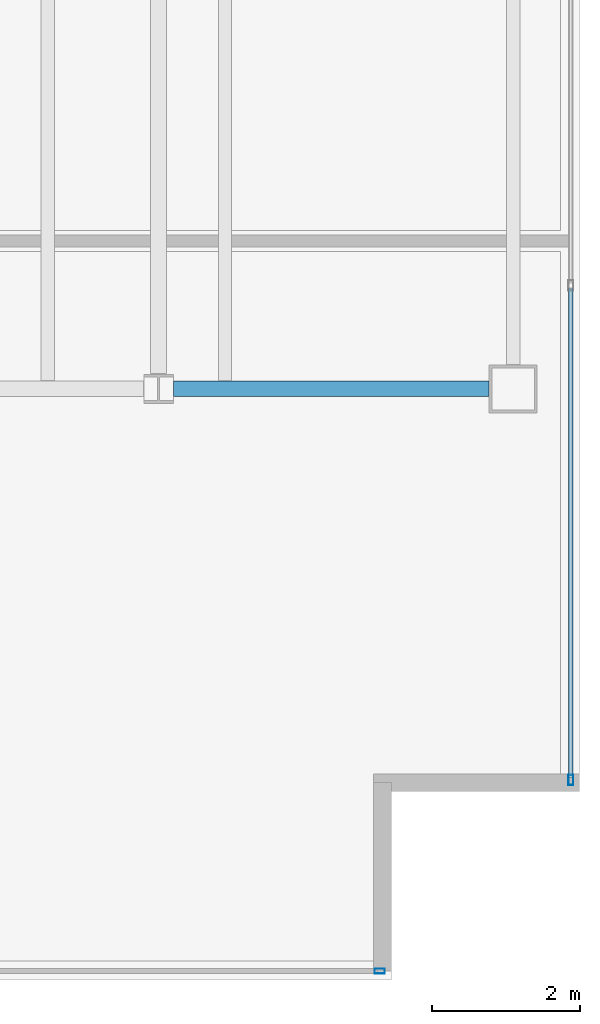
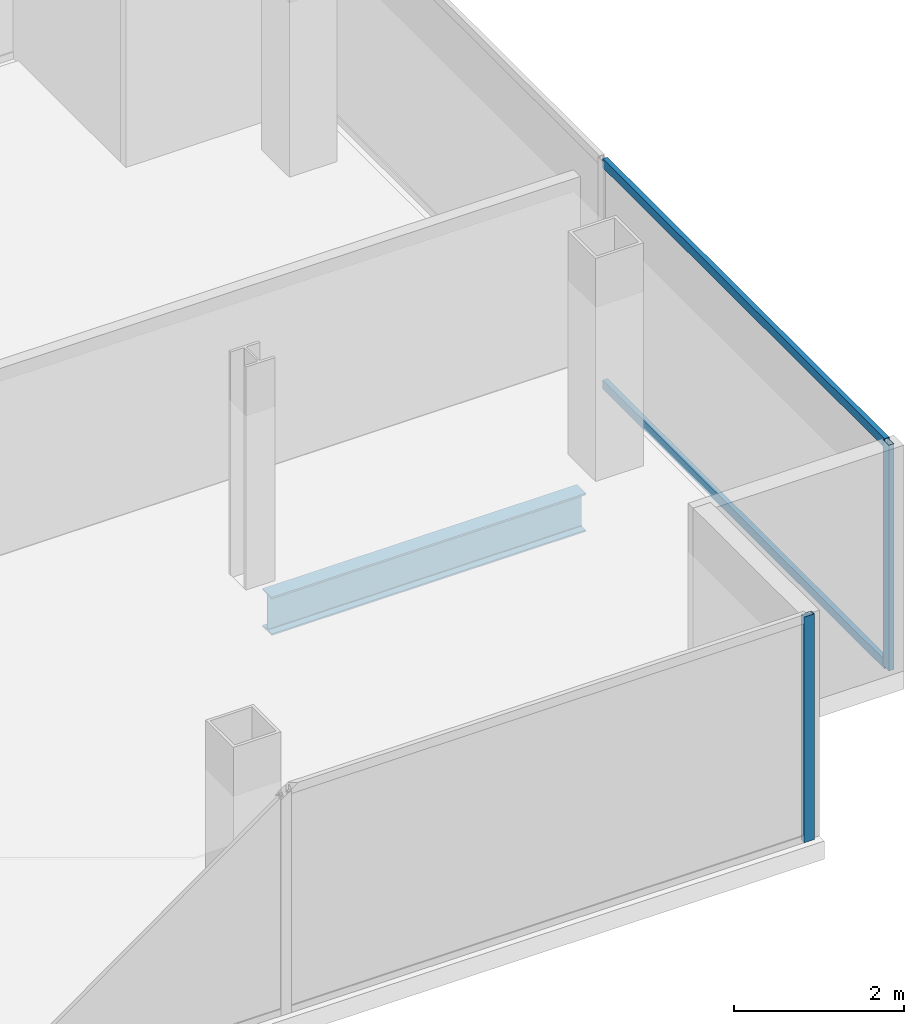
# One storey, part 14 of 23: 4 members, 1 beam, 2 elements without a shape of their own.
"""IFC4 building model written with IfcOpenShell, lengths in metres."""

from ifc_helpers import new_model, si_unit, direction, frame, origin, origin_2d, place, context, subcontext, project, spatial, hollow_rectangle, i_section, extrude, material, material_profile, profile_set, type_object, element, aggregate, save


model = new_model("IFC4")

# Units and contexts
model_context = context("Model", 3, precision=1e-05, world=origin(), true_north=direction((0.0, 1.0)))
body_context = subcontext(model_context, "Body", "Model", "MODEL_VIEW")
ifc_project = project(units=[si_unit("LENGTHUNIT", "METRE"), si_unit("AREAUNIT", "SQUARE_METRE"), si_unit("VOLUMEUNIT", "CUBIC_METRE"), si_unit("PLANEANGLEUNIT", "RADIAN"), si_unit("MASSUNIT", "GRAM", prefix="KILO")], contexts=[model_context])

# Site, building, storey
site_placement = place(None, origin())
site = spatial("IfcSite", under=ifc_project, at=site_placement, CompositionType="ELEMENT")
building_placement = place(site_placement, origin())
building = spatial("IfcBuilding", under=site, at=building_placement, Name="Cobrela Telecom Tower", CompositionType="ELEMENT")
storey_placement = place(building_placement, frame((0.0, 0.0, 251.64990234375)))
storey = spatial("IfcBuildingStorey", under=building, at=storey_placement, Name="L65", CompositionType="ELEMENT", Elevation=251.64990234375)

# Beam
ifc_material_1 = material(Name="Steel ASTM A992 Grade 50", Category="steel")
ifc_material_profile_1 = material_profile(ifc_material_1, i_section(OverallWidth=0.212890625, OverallDepth=0.549072265625, WebThickness=0.0146484375, FlangeThickness=0.023681640625, FilletRadius=0.013916015625, at=origin_2d()), Name="W21X93")
ifc_profile_set_1 = profile_set([ifc_material_profile_1], Name="Steel ASTM A992 Grade 50")
beam_type = type_object("IfcBeamType", Name="BM-GIRD-08", PredefinedType="USERDEFINED", material=ifc_profile_set_1)
beam_placement = place(storey_placement, frame((40.1044921875, 14.39990234375, -0.534423828125), z_axis=(1.0, 0.0, 0.0), x_axis=(0.0, 1.0, 0.0)))
element("IfcBeam", 1, at=beam_placement, inside=storey, type_object=beam_type, Name="L65 Primary Girder X09", ObjectType="GIRDER", PredefinedType="USERDEFINED", context=body_context, shape_type="SweptSolid", body=[
    extrude(i_section(OverallWidth=0.212890625, OverallDepth=0.549072265625, WebThickness=0.0146484375, FlangeThickness=0.023681640625, FilletRadius=0.013916015625, at=origin_2d()), origin(), (0.0, 0.0, 1.0), 4.265625),
])

# Curtain wall, member
ifc_material_2 = material(Name="Anodized Bronze Aluminium 6063-T6", Category="aluminium")
curtain_wall_type = type_object("IfcCurtainWallType", Name="CW-SYS-OFF-HI", PredefinedType="USERDEFINED", material=ifc_material_2)
curtain_wall_1_placement = place(storey_placement, origin())
curtain_wall_1 = element("IfcCurtainWall", 2, at=curtain_wall_1_placement, inside=storey, type_object=curtain_wall_type, Name="L65 Unitised Bronze Curtain Wall 12", ObjectType="UNITISED CURTAIN WALL", PredefinedType="USERDEFINED")
ifc_material_profile_2 = material_profile(ifc_material_2, hollow_rectangle(XDim=0.070068359375, YDim=0.139892578125, WallThickness=0.00390625, at=origin_2d()), Name="ALU 70x140x4")
ifc_profile_set_2 = profile_set([ifc_material_profile_2], Name="Anodized Bronze Aluminium 6063-T6")
member_type_1 = type_object("IfcMemberType", Name="CW-SYS-OFF-HI-MUL", PredefinedType="MULLION", material=ifc_profile_set_2)
member_1_placement = place(storey_placement, frame((45.47998046875, 9.10498046875, 0.0), z_axis=(0.0, 0.0, 1.0), x_axis=(1.0, 0.0, 0.0)))
member_1 = element("IfcMember", 3, at=member_1_placement, type_object=member_type_1, Name="CW-OFF-HI mullion 3", PredefinedType="MULLION", context=body_context, shape_type="SweptSolid", body=[
    extrude(hollow_rectangle(XDim=0.070068359375, YDim=0.139892578125, WallThickness=0.00390625, at=origin_2d()), origin(), (0.0, 0.0, 1.0), 3.239990234375),
])

curtain_wall_2_placement = place(storey_placement, origin())
curtain_wall_2 = element("IfcCurtainWall", 4, at=curtain_wall_2_placement, inside=storey, type_object=curtain_wall_type, Name="L65 Unitised Bronze Curtain Wall 15", ObjectType="UNITISED CURTAIN WALL", PredefinedType="USERDEFINED")
member_2_placement = place(storey_placement, frame((42.89501953125, 6.52001953125, 0.0), z_axis=(0.0, 0.0, 1.0), x_axis=(0.0, -1.0, 0.0)))
member_2 = element("IfcMember", 5, at=member_2_placement, type_object=member_type_1, Name="CW-OFF-HI mullion 1", PredefinedType="MULLION", context=body_context, shape_type="SweptSolid", body=[
    extrude(hollow_rectangle(XDim=0.070068359375, YDim=0.139892578125, WallThickness=0.00390625, at=origin_2d()), origin(), (0.0, 0.0, 1.0), 3.239990234375),
])
aggregate(curtain_wall_2, [member_2])

# Member
ifc_material_profile_3 = material_profile(ifc_material_2, hollow_rectangle(XDim=0.06494140625, YDim=0.1298828125, WallThickness=0.00390625, at=origin_2d()), Name="ALU 65x130x4")
ifc_profile_set_3 = profile_set([ifc_material_profile_3], Name="Anodized Bronze Aluminium 6063-T6")
member_type_2 = type_object("IfcMemberType", Name="CW-SYS-OFF-HI-TRN", PredefinedType="USERDEFINED", material=ifc_profile_set_3)
member_3_placement = place(storey_placement, frame((45.47998046875, 15.764892578125, 0.03271484375), z_axis=(0.0, -1.0, 0.0), x_axis=(1.0, 0.0, 0.0)))
member_3 = element("IfcMember", 6, at=member_3_placement, type_object=member_type_2, Name="CW-OFF-HI transom 2.1", ObjectType="TRANSOM", PredefinedType="USERDEFINED", context=body_context, shape_type="SweptSolid", body=[
    extrude(hollow_rectangle(XDim=0.06494140625, YDim=0.1298828125, WallThickness=0.00390625, at=origin_2d()), origin(), (0.0, 0.0, 1.0), 6.625),
])

member_4_placement = place(storey_placement, frame((45.47998046875, 15.764892578125, 3.20751953125), z_axis=(0.0, -1.0, 0.0), x_axis=(1.0, 0.0, 0.0)))
member_4 = element("IfcMember", 7, at=member_4_placement, type_object=member_type_2, Name="CW-OFF-HI transom 2.2", ObjectType="TRANSOM", PredefinedType="USERDEFINED", context=body_context, shape_type="SweptSolid", body=[
    extrude(hollow_rectangle(XDim=0.06494140625, YDim=0.1298828125, WallThickness=0.00390625, at=origin_2d()), origin(), (0.0, 0.0, 1.0), 6.625),
])

aggregate(curtain_wall_1, [member_1, member_3, member_4])

save(model, "model.ifc")
